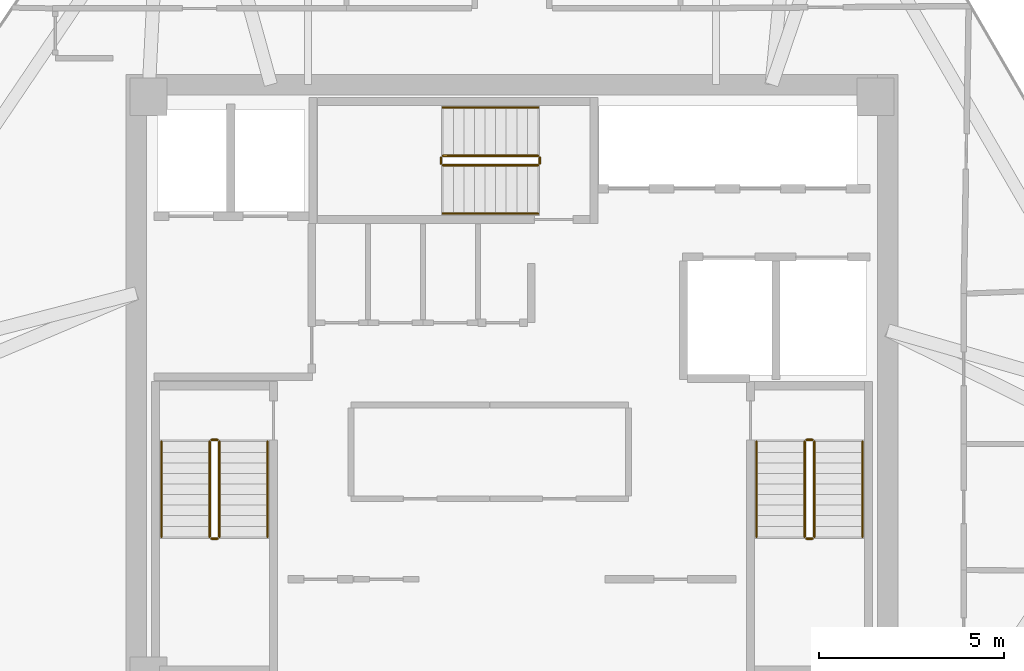
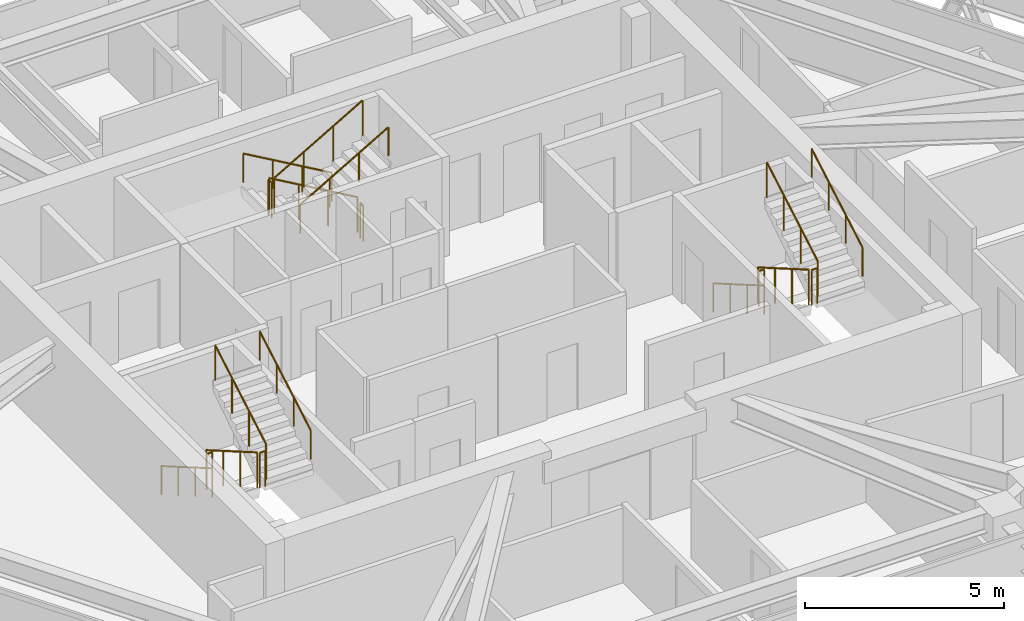
# One storey, part 13 of 13: 18 railings.
"""IFC4 building model written with IfcOpenShell, lengths in metres."""

from ifc_helpers import new_model, si_unit, direction, frame, origin, origin_2d, place, context, subcontext, project, spatial, circle, extrude, material, type_object, element, save


model = new_model("IFC4")

# Units and contexts
model_context = context("Model", 3, precision=1e-05, world=origin(), true_north=direction((0.0, 1.0)))
body_context = subcontext(model_context, "Body", "Model", "MODEL_VIEW")
ifc_project = project(units=[si_unit("LENGTHUNIT", "METRE"), si_unit("AREAUNIT", "SQUARE_METRE"), si_unit("VOLUMEUNIT", "CUBIC_METRE"), si_unit("PLANEANGLEUNIT", "RADIAN"), si_unit("MASSUNIT", "GRAM", prefix="KILO")], contexts=[model_context])

# Site, building, storey
site_placement = place(None, origin())
site = spatial("IfcSite", under=ifc_project, at=site_placement, CompositionType="ELEMENT")
building_placement = place(site_placement, origin())
building = spatial("IfcBuilding", under=site, at=building_placement, Name="Durnholm Broadcast Tower", CompositionType="ELEMENT")
storey_placement = place(building_placement, frame((0.0, 0.0, 234.800048828125)))
storey = spatial("IfcBuildingStorey", under=building, at=storey_placement, Name="L65", CompositionType="ELEMENT", Elevation=234.800048828125)

# Railings
ifc_material_1 = material(Name="Painted Tubular Steel Stair Guardrail", Category="steel")
railing_type_1 = type_object("IfcRailingType", Name="RAIL-ST-GRD", PredefinedType="GUARDRAIL", material=ifc_material_1)
railing_1_placement = place(storey_placement, frame((-8.14990234375, -1.5, 0.1650390625)))
element("IfcRailing", 1, at=railing_1_placement, inside=storey, type_object=railing_type_1, Name="L65 ST-1 stair guard 1", PredefinedType="GUARDRAIL", context=body_context, shape_type="SweptSolid", body=[
    extrude(circle(Radius=0.02392578125, at=origin_2d()), frame((0.0, 0.0, 1.076171875), z_axis=(0.0, -0.865441324677, 0.50101029285), x_axis=(1.0, 0.0, 0.0)), (0.0, 0.0, 1.0), 2.963623046875),
    extrude(circle(Radius=0.02099609375, at=origin_2d()), origin(), (0.0, 0.0, 1.0), 1.052001953125),
    extrude(circle(Radius=0.02099609375, at=origin_2d()), frame((0.0, -0.85498046875, 0.494873046875)), (0.0, 0.0, 1.0), 1.052001953125),
    extrude(circle(Radius=0.02099609375, at=origin_2d()), frame((0.0, -1.7099609375, 0.989990234375)), (0.0, 0.0, 1.0), 1.052001953125),
    extrude(circle(Radius=0.02099609375, at=origin_2d()), frame((0.0, -2.56494140625, 1.48486328125)), (0.0, 0.0, 1.0), 1.052001953125),
])
railing_2_placement = place(storey_placement, frame((-8.10009765625, -4.114990234375, 1.64990234375)))
element("IfcRailing", 2, at=railing_2_placement, inside=storey, type_object=railing_type_1, Name="L65 ST-1 stair guard 2", PredefinedType="GUARDRAIL", context=body_context, shape_type="SweptSolid", body=[
    extrude(circle(Radius=0.02392578125, at=origin_2d()), frame((0.0, 0.0, 1.076171875), z_axis=(1.0, 0.0, 0.0), x_axis=(0.0, 1.0, 0.0)), (0.0, 0.0, 1.0), 0.16015625),
    extrude(circle(Radius=0.02099609375, at=origin_2d()), origin(), (0.0, 0.0, 1.0), 1.052001953125),
    extrude(circle(Radius=0.02099609375, at=origin_2d()), frame((0.16015625, 0.0, 0.0)), (0.0, 0.0, 1.0), 1.052001953125),
])
railing_3_placement = place(storey_placement, frame((-7.889892578125, -4.06494140625, 1.81494140625)))
element("IfcRailing", 3, at=railing_3_placement, inside=storey, type_object=railing_type_1, Name="L65 ST-1 stair guard 3", PredefinedType="GUARDRAIL", context=body_context, shape_type="SweptSolid", body=[
    extrude(circle(Radius=0.02392578125, at=origin_2d()), frame((0.0, 0.0, 1.076171875), z_axis=(0.0, 0.865405606168, 0.501071987656), x_axis=(-1.0, 0.0, 0.0)), (0.0, 0.0, 1.0), 2.9638671875),
    extrude(circle(Radius=0.02099609375, at=origin_2d()), origin(), (0.0, 0.0, 1.0), 1.052001953125),
    extrude(circle(Radius=0.02099609375, at=origin_2d()), frame((0.0, 0.85498046875, 0.4951171875)), (0.0, 0.0, 1.0), 1.052001953125),
    extrude(circle(Radius=0.02099609375, at=origin_2d()), frame((0.0, 1.7099609375, 0.989990234375)), (0.0, 0.0, 1.0), 1.052001953125),
    extrude(circle(Radius=0.02099609375, at=origin_2d()), frame((0.0, 2.56494140625, 1.485107421875)), (0.0, 0.0, 1.0), 1.052001953125),
])
railing_4_placement = place(storey_placement, frame((-8.10009765625, -1.449951171875, 0.0)))
element("IfcRailing", 4, at=railing_4_placement, inside=storey, type_object=railing_type_1, Name="L65 ST-1 stair guard 4", PredefinedType="GUARDRAIL", context=body_context, shape_type="SweptSolid", body=[
    extrude(circle(Radius=0.02392578125, at=origin_2d()), frame((0.0, 0.0, 1.076171875), z_axis=(1.0, 0.0, 0.0), x_axis=(0.0, 1.0, 0.0)), (0.0, 0.0, 1.0), 0.16015625),
    extrude(circle(Radius=0.02099609375, at=origin_2d()), origin(), (0.0, 0.0, 1.0), 1.052001953125),
    extrude(circle(Radius=0.02099609375, at=origin_2d()), frame((0.16015625, 0.0, 0.0)), (0.0, 0.0, 1.0), 1.052001953125),
])
railing_5_placement = place(storey_placement, frame((7.889892578125, -1.5, 0.1650390625)))
element("IfcRailing", 5, at=railing_5_placement, inside=storey, type_object=railing_type_1, Name="L65 ST-2 stair guard 1", PredefinedType="GUARDRAIL", context=body_context, shape_type="SweptSolid", body=[
    extrude(circle(Radius=0.02392578125, at=origin_2d()), frame((0.0, 0.0, 1.076171875), z_axis=(0.0, -0.865441324677, 0.50101029285), x_axis=(1.0, 0.0, 0.0)), (0.0, 0.0, 1.0), 2.963623046875),
    extrude(circle(Radius=0.02099609375, at=origin_2d()), origin(), (0.0, 0.0, 1.0), 1.052001953125),
    extrude(circle(Radius=0.02099609375, at=origin_2d()), frame((0.0, -0.85498046875, 0.494873046875)), (0.0, 0.0, 1.0), 1.052001953125),
    extrude(circle(Radius=0.02099609375, at=origin_2d()), frame((0.0, -1.7099609375, 0.989990234375)), (0.0, 0.0, 1.0), 1.052001953125),
    extrude(circle(Radius=0.02099609375, at=origin_2d()), frame((0.0, -2.56494140625, 1.48486328125)), (0.0, 0.0, 1.0), 1.052001953125),
])
railing_6_placement = place(storey_placement, frame((7.93994140625, -4.114990234375, 1.64990234375)))
element("IfcRailing", 6, at=railing_6_placement, inside=storey, type_object=railing_type_1, Name="L65 ST-2 stair guard 2", PredefinedType="GUARDRAIL", context=body_context, shape_type="SweptSolid", body=[
    extrude(circle(Radius=0.02392578125, at=origin_2d()), frame((0.0, 0.0, 1.076171875), z_axis=(1.0, 0.0, 0.0), x_axis=(0.0, 1.0, 0.0)), (0.0, 0.0, 1.0), 0.16015625),
    extrude(circle(Radius=0.02099609375, at=origin_2d()), origin(), (0.0, 0.0, 1.0), 1.052001953125),
    extrude(circle(Radius=0.02099609375, at=origin_2d()), frame((0.16015625, 0.0, 0.0)), (0.0, 0.0, 1.0), 1.052001953125),
])
railing_7_placement = place(storey_placement, frame((8.14990234375, -4.06494140625, 1.81494140625)))
element("IfcRailing", 7, at=railing_7_placement, inside=storey, type_object=railing_type_1, Name="L65 ST-2 stair guard 3", PredefinedType="GUARDRAIL", context=body_context, shape_type="SweptSolid", body=[
    extrude(circle(Radius=0.02392578125, at=origin_2d()), frame((0.0, 0.0, 1.076171875), z_axis=(0.0, 0.865405606168, 0.501071987656), x_axis=(-1.0, 0.0, 0.0)), (0.0, 0.0, 1.0), 2.9638671875),
    extrude(circle(Radius=0.02099609375, at=origin_2d()), origin(), (0.0, 0.0, 1.0), 1.052001953125),
    extrude(circle(Radius=0.02099609375, at=origin_2d()), frame((0.0, 0.85498046875, 0.4951171875)), (0.0, 0.0, 1.0), 1.052001953125),
    extrude(circle(Radius=0.02099609375, at=origin_2d()), frame((0.0, 1.7099609375, 0.989990234375)), (0.0, 0.0, 1.0), 1.052001953125),
    extrude(circle(Radius=0.02099609375, at=origin_2d()), frame((0.0, 2.56494140625, 1.485107421875)), (0.0, 0.0, 1.0), 1.052001953125),
])
railing_8_placement = place(storey_placement, frame((7.93994140625, -1.449951171875, 0.0)))
element("IfcRailing", 8, at=railing_8_placement, inside=storey, type_object=railing_type_1, Name="L65 ST-2 stair guard 4", PredefinedType="GUARDRAIL", context=body_context, shape_type="SweptSolid", body=[
    extrude(circle(Radius=0.02392578125, at=origin_2d()), frame((0.0, 0.0, 1.076171875), z_axis=(1.0, 0.0, 0.0), x_axis=(0.0, 1.0, 0.0)), (0.0, 0.0, 1.0), 0.16015625),
    extrude(circle(Radius=0.02099609375, at=origin_2d()), origin(), (0.0, 0.0, 1.0), 1.052001953125),
    extrude(circle(Radius=0.02099609375, at=origin_2d()), frame((0.16015625, 0.0, 0.0)), (0.0, 0.0, 1.0), 1.052001953125),
])
railing_9_placement = place(storey_placement, frame((0.699951171875, 6.2099609375, 0.1650390625)))
element("IfcRailing", 9, at=railing_9_placement, inside=storey, type_object=railing_type_1, Name="L65 ST-3 stair guard 1", PredefinedType="GUARDRAIL", context=body_context, shape_type="SweptSolid", body=[
    extrude(circle(Radius=0.02392578125, at=origin_2d()), frame((0.0, 0.0, 1.076171875), z_axis=(-0.865441324677, 0.0, 0.50101029285), x_axis=(0.0, -1.0, 0.0)), (0.0, 0.0, 1.0), 2.963623046875),
    extrude(circle(Radius=0.02099609375, at=origin_2d()), origin(), (0.0, 0.0, 1.0), 1.052001953125),
    extrude(circle(Radius=0.02099609375, at=origin_2d()), frame((-0.85498046875, 0.0, 0.494873046875)), (0.0, 0.0, 1.0), 1.052001953125),
    extrude(circle(Radius=0.02099609375, at=origin_2d()), frame((-1.7099609375, 0.0, 0.989990234375)), (0.0, 0.0, 1.0), 1.052001953125),
    extrude(circle(Radius=0.02099609375, at=origin_2d()), frame((-2.56494140625, 0.0, 1.48486328125)), (0.0, 0.0, 1.0), 1.052001953125),
])
railing_10_placement = place(storey_placement, frame((-1.9150390625, 6.159912109375, 1.64990234375)))
element("IfcRailing", 10, at=railing_10_placement, inside=storey, type_object=railing_type_1, Name="L65 ST-3 stair guard 2", PredefinedType="GUARDRAIL", context=body_context, shape_type="SweptSolid", body=[
    extrude(circle(Radius=0.02392578125, at=origin_2d()), frame((0.0, 0.0, 1.076171875), z_axis=(0.0, -1.0, 0.0), x_axis=(1.0, 0.0, 0.0)), (0.0, 0.0, 1.0), 0.159912109375),
    extrude(circle(Radius=0.02099609375, at=origin_2d()), origin(), (0.0, 0.0, 1.0), 1.052001953125),
    extrude(circle(Radius=0.02099609375, at=origin_2d()), frame((0.0, -0.159912109375, 0.0)), (0.0, 0.0, 1.0), 1.052001953125),
])
railing_11_placement = place(storey_placement, frame((-1.864990234375, 5.949951171875, 1.81494140625)))
element("IfcRailing", 11, at=railing_11_placement, inside=storey, type_object=railing_type_1, Name="L65 ST-3 stair guard 3", PredefinedType="GUARDRAIL", context=body_context, shape_type="SweptSolid", body=[
    extrude(circle(Radius=0.02392578125, at=origin_2d()), frame((0.0, 0.0, 1.076171875), z_axis=(0.865405606168, 0.0, 0.501071987656), x_axis=(0.0, 1.0, 0.0)), (0.0, 0.0, 1.0), 2.9638671875),
    extrude(circle(Radius=0.02099609375, at=origin_2d()), origin(), (0.0, 0.0, 1.0), 1.052001953125),
    extrude(circle(Radius=0.02099609375, at=origin_2d()), frame((0.85498046875, 0.0, 0.4951171875)), (0.0, 0.0, 1.0), 1.052001953125),
    extrude(circle(Radius=0.02099609375, at=origin_2d()), frame((1.7099609375, 0.0, 0.989990234375)), (0.0, 0.0, 1.0), 1.052001953125),
    extrude(circle(Radius=0.02099609375, at=origin_2d()), frame((2.56494140625, 0.0, 1.485107421875)), (0.0, 0.0, 1.0), 1.052001953125),
])
railing_12_placement = place(storey_placement, frame((0.75, 6.159912109375, 0.0)))
element("IfcRailing", 12, at=railing_12_placement, inside=storey, type_object=railing_type_1, Name="L65 ST-3 stair guard 4", PredefinedType="GUARDRAIL", context=body_context, shape_type="SweptSolid", body=[
    extrude(circle(Radius=0.02392578125, at=origin_2d()), frame((0.0, 0.0, 1.076171875), z_axis=(0.0, -1.0, 0.0), x_axis=(1.0, 0.0, 0.0)), (0.0, 0.0, 1.0), 0.159912109375),
    extrude(circle(Radius=0.02099609375, at=origin_2d()), origin(), (0.0, 0.0, 1.0), 1.052001953125),
    extrude(circle(Radius=0.02099609375, at=origin_2d()), frame((0.0, -0.159912109375, 0.0)), (0.0, 0.0, 1.0), 1.052001953125),
])
ifc_material_2 = material(Name="Brushed Stainless Steel Handrail", Category="steel")
railing_type_2 = type_object("IfcRailingType", Name="RAIL-ST-HND", PredefinedType="HANDRAIL", material=ifc_material_2)
railing_13_placement = place(storey_placement, frame((-9.449951171875, -1.5, 0.329833984375)))
element("IfcRailing", 13, at=railing_13_placement, inside=storey, type_object=railing_type_2, Name="L65 ST-1 stair handrail 1", PredefinedType="HANDRAIL", context=body_context, shape_type="SweptSolid", body=[
    extrude(circle(Radius=0.02392578125, at=origin_2d()), frame((0.0, 0.0, 0.8759765625), z_axis=(0.0, -0.865405606168, 0.501071987656), x_axis=(1.0, 0.0, 0.0)), (0.0, 0.0, 1.0), 2.9638671875),
    extrude(circle(Radius=0.02099609375, at=origin_2d()), origin(), (0.0, 0.0, 1.0), 0.851806640625),
    extrude(circle(Radius=0.02099609375, at=origin_2d()), frame((0.0, -0.85498046875, 0.4951171875)), (0.0, 0.0, 1.0), 0.851806640625),
    extrude(circle(Radius=0.02099609375, at=origin_2d()), frame((0.0, -1.7099609375, 0.989990234375)), (0.0, 0.0, 1.0), 0.851806640625),
    extrude(circle(Radius=0.02099609375, at=origin_2d()), frame((0.0, -2.56494140625, 1.485107421875)), (0.0, 0.0, 1.0), 0.851806640625),
])
railing_14_placement = place(storey_placement, frame((-6.590087890625, -4.06494140625, 1.97998046875)))
element("IfcRailing", 14, at=railing_14_placement, inside=storey, type_object=railing_type_2, Name="L65 ST-1 stair handrail 2", PredefinedType="HANDRAIL", context=body_context, shape_type="SweptSolid", body=[
    extrude(circle(Radius=0.02392578125, at=origin_2d()), frame((0.0, 0.0, 0.8759765625), z_axis=(0.0, 0.865441324677, 0.50101029285), x_axis=(-1.0, 0.0, 0.0)), (0.0, 0.0, 1.0), 2.963623046875),
    extrude(circle(Radius=0.02099609375, at=origin_2d()), origin(), (0.0, 0.0, 1.0), 0.851806640625),
    extrude(circle(Radius=0.02099609375, at=origin_2d()), frame((0.0, 0.85498046875, 0.494873046875)), (0.0, 0.0, 1.0), 0.851806640625),
    extrude(circle(Radius=0.02099609375, at=origin_2d()), frame((0.0, 1.7099609375, 0.989990234375)), (0.0, 0.0, 1.0), 0.851806640625),
    extrude(circle(Radius=0.02099609375, at=origin_2d()), frame((0.0, 2.56494140625, 1.48486328125)), (0.0, 0.0, 1.0), 0.851806640625),
])
railing_15_placement = place(storey_placement, frame((6.590087890625, -1.5, 0.329833984375)))
element("IfcRailing", 15, at=railing_15_placement, inside=storey, type_object=railing_type_2, Name="L65 ST-2 stair handrail 1", PredefinedType="HANDRAIL", context=body_context, shape_type="SweptSolid", body=[
    extrude(circle(Radius=0.02392578125, at=origin_2d()), frame((0.0, 0.0, 0.8759765625), z_axis=(0.0, -0.865405606168, 0.501071987656), x_axis=(1.0, 0.0, 0.0)), (0.0, 0.0, 1.0), 2.9638671875),
    extrude(circle(Radius=0.02099609375, at=origin_2d()), origin(), (0.0, 0.0, 1.0), 0.851806640625),
    extrude(circle(Radius=0.02099609375, at=origin_2d()), frame((0.0, -0.85498046875, 0.4951171875)), (0.0, 0.0, 1.0), 0.851806640625),
    extrude(circle(Radius=0.02099609375, at=origin_2d()), frame((0.0, -1.7099609375, 0.989990234375)), (0.0, 0.0, 1.0), 0.851806640625),
    extrude(circle(Radius=0.02099609375, at=origin_2d()), frame((0.0, -2.56494140625, 1.485107421875)), (0.0, 0.0, 1.0), 0.851806640625),
])
railing_16_placement = place(storey_placement, frame((9.449951171875, -4.06494140625, 1.97998046875)))
element("IfcRailing", 16, at=railing_16_placement, inside=storey, type_object=railing_type_2, Name="L65 ST-2 stair handrail 2", PredefinedType="HANDRAIL", context=body_context, shape_type="SweptSolid", body=[
    extrude(circle(Radius=0.02392578125, at=origin_2d()), frame((0.0, 0.0, 0.8759765625), z_axis=(0.0, 0.865441324677, 0.50101029285), x_axis=(-1.0, 0.0, 0.0)), (0.0, 0.0, 1.0), 2.963623046875),
    extrude(circle(Radius=0.02099609375, at=origin_2d()), origin(), (0.0, 0.0, 1.0), 0.851806640625),
    extrude(circle(Radius=0.02099609375, at=origin_2d()), frame((0.0, 0.85498046875, 0.494873046875)), (0.0, 0.0, 1.0), 0.851806640625),
    extrude(circle(Radius=0.02099609375, at=origin_2d()), frame((0.0, 1.7099609375, 0.989990234375)), (0.0, 0.0, 1.0), 0.851806640625),
    extrude(circle(Radius=0.02099609375, at=origin_2d()), frame((0.0, 2.56494140625, 1.48486328125)), (0.0, 0.0, 1.0), 0.851806640625),
])
railing_17_placement = place(storey_placement, frame((0.699951171875, 7.510009765625, 0.329833984375)))
element("IfcRailing", 17, at=railing_17_placement, inside=storey, type_object=railing_type_2, Name="L65 ST-3 stair handrail 1", PredefinedType="HANDRAIL", context=body_context, shape_type="SweptSolid", body=[
    extrude(circle(Radius=0.02392578125, at=origin_2d()), frame((0.0, 0.0, 0.8759765625), z_axis=(-0.865405606168, 0.0, 0.501071987656), x_axis=(0.0, -1.0, 0.0)), (0.0, 0.0, 1.0), 2.9638671875),
    extrude(circle(Radius=0.02099609375, at=origin_2d()), origin(), (0.0, 0.0, 1.0), 0.851806640625),
    extrude(circle(Radius=0.02099609375, at=origin_2d()), frame((-0.85498046875, 0.0, 0.4951171875)), (0.0, 0.0, 1.0), 0.851806640625),
    extrude(circle(Radius=0.02099609375, at=origin_2d()), frame((-1.7099609375, 0.0, 0.989990234375)), (0.0, 0.0, 1.0), 0.851806640625),
    extrude(circle(Radius=0.02099609375, at=origin_2d()), frame((-2.56494140625, 0.0, 1.485107421875)), (0.0, 0.0, 1.0), 0.851806640625),
])
railing_18_placement = place(storey_placement, frame((-1.864990234375, 4.64990234375, 1.97998046875)))
element("IfcRailing", 18, at=railing_18_placement, inside=storey, type_object=railing_type_2, Name="L65 ST-3 stair handrail 2", PredefinedType="HANDRAIL", context=body_context, shape_type="SweptSolid", body=[
    extrude(circle(Radius=0.02392578125, at=origin_2d()), frame((0.0, 0.0, 0.8759765625), z_axis=(0.865441324677, 0.0, 0.50101029285), x_axis=(0.0, 1.0, 0.0)), (0.0, 0.0, 1.0), 2.963623046875),
    extrude(circle(Radius=0.02099609375, at=origin_2d()), origin(), (0.0, 0.0, 1.0), 0.851806640625),
    extrude(circle(Radius=0.02099609375, at=origin_2d()), frame((0.85498046875, 0.0, 0.494873046875)), (0.0, 0.0, 1.0), 0.851806640625),
    extrude(circle(Radius=0.02099609375, at=origin_2d()), frame((1.7099609375, 0.0, 0.989990234375)), (0.0, 0.0, 1.0), 0.851806640625),
    extrude(circle(Radius=0.02099609375, at=origin_2d()), frame((2.56494140625, 0.0, 1.48486328125)), (0.0, 0.0, 1.0), 0.851806640625),
])

save(model, "model.ifc")
